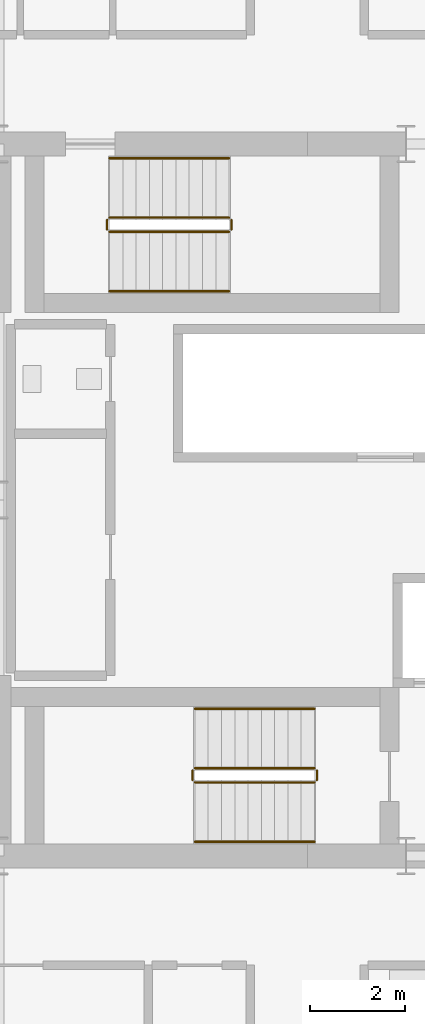
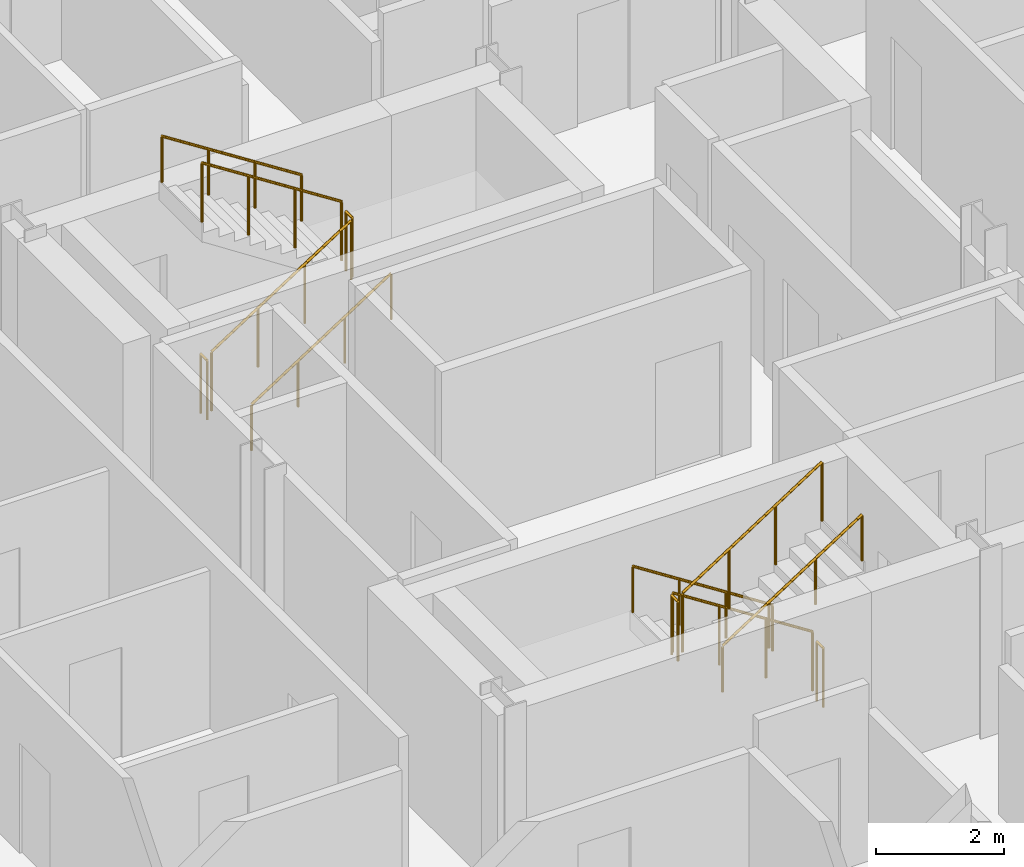
# One storey, part 25 of 26: 12 railings.
"""IFC4 building model written with IfcOpenShell, lengths in metres."""

from ifc_helpers import new_model, si_unit, direction, frame, origin, origin_2d, place, context, subcontext, project, spatial, circle, extrude, material, type_object, element, save


model = new_model("IFC4")

# Units and contexts
model_context = context("Model", 3, precision=1e-05, world=origin(), true_north=direction((0.0, 1.0)))
body_context = subcontext(model_context, "Body", "Model", "MODEL_VIEW")
ifc_project = project(units=[si_unit("LENGTHUNIT", "METRE"), si_unit("AREAUNIT", "SQUARE_METRE"), si_unit("VOLUMEUNIT", "CUBIC_METRE"), si_unit("PLANEANGLEUNIT", "RADIAN"), si_unit("MASSUNIT", "GRAM", prefix="KILO")], contexts=[model_context])

# Site, building, storey
site_placement = place(None, origin())
site = spatial("IfcSite", under=ifc_project, at=site_placement, CompositionType="ELEMENT")
building_placement = place(site_placement, origin())
building = spatial("IfcBuilding", under=site, at=building_placement, Name="Barlavira Tower and Art Museum", CompositionType="ELEMENT")
storey_placement = place(building_placement, frame((0.0, 0.0, 187.199951171875)))
storey = spatial("IfcBuildingStorey", under=building, at=storey_placement, Name="L48", CompositionType="ELEMENT", Elevation=187.199951171875)

# Railings
ifc_material = material(Name="Brushed stainless steel", Category="steel")
railing_type_1 = type_object("IfcRailingType", Name="Interior Void and Landing Guard Railing 1150", PredefinedType="GUARDRAIL", material=ifc_material)
railing_1_placement = place(storey_placement, frame((0.14990234375, -5.64990234375, 0.179931640625)))
element("IfcRailing", 1, at=railing_1_placement, inside=storey, type_object=railing_type_1, Name="L48 ST-T1 stair guard 1", PredefinedType="GUARDRAIL", context=body_context, shape_type="SweptSolid", body=[
    extrude(circle(Radius=0.02392578125, at=origin_2d()), frame((0.0, 0.0, 1.1259765625), z_axis=(-0.841162588446, 0.0, 0.540782303519), x_axis=(0.0, -1.0, 0.0)), (0.0, 0.0, 1.0), 2.995849609375),
    extrude(circle(Radius=0.02099609375, at=origin_2d()), origin(), (0.0, 0.0, 1.0), 1.101806640625),
    extrude(circle(Radius=0.02099609375, at=origin_2d()), frame((-0.840087890625, 0.0, 0.5400390625)), (0.0, 0.0, 1.0), 1.101806640625),
    extrude(circle(Radius=0.02099609375, at=origin_2d()), frame((-1.679931640625, 0.0, 1.080078125)), (0.0, 0.0, 1.0), 1.101806640625),
    extrude(circle(Radius=0.02099609375, at=origin_2d()), frame((-2.52001953125, 0.0, 1.6201171875)), (0.0, 0.0, 1.0), 1.101806640625),
])
railing_2_placement = place(storey_placement, frame((-2.419921875, -5.699951171875, 1.800048828125)))
element("IfcRailing", 2, at=railing_2_placement, inside=storey, type_object=railing_type_1, Name="L48 ST-T1 stair guard 2", PredefinedType="GUARDRAIL", context=body_context, shape_type="SweptSolid", body=[
    extrude(circle(Radius=0.02392578125, at=origin_2d()), frame((0.0, 0.0, 1.1259765625), z_axis=(0.0, -1.0, 0.0), x_axis=(1.0, 0.0, 0.0)), (0.0, 0.0, 1.0), 0.199951171875),
    extrude(circle(Radius=0.02099609375, at=origin_2d()), origin(), (0.0, 0.0, 1.0), 1.101806640625),
    extrude(circle(Radius=0.02099609375, at=origin_2d()), frame((0.0, -0.199951171875, 0.0)), (0.0, 0.0, 1.0), 1.101806640625),
])
railing_3_placement = place(storey_placement, frame((-2.3701171875, -5.949951171875, 1.97998046875)))
element("IfcRailing", 3, at=railing_3_placement, inside=storey, type_object=railing_type_1, Name="L48 ST-T1 stair guard 3", PredefinedType="GUARDRAIL", context=body_context, shape_type="SweptSolid", body=[
    extrude(circle(Radius=0.02392578125, at=origin_2d()), frame((0.0, 0.0, 1.1259765625), z_axis=(0.841162588446, 0.0, 0.540782303519), x_axis=(0.0, 1.0, 0.0)), (0.0, 0.0, 1.0), 2.995849609375),
    extrude(circle(Radius=0.02099609375, at=origin_2d()), origin(), (0.0, 0.0, 1.0), 1.101806640625),
    extrude(circle(Radius=0.02099609375, at=origin_2d()), frame((0.840087890625, 0.0, 0.5400390625)), (0.0, 0.0, 1.0), 1.101806640625),
    extrude(circle(Radius=0.02099609375, at=origin_2d()), frame((1.679931640625, 0.0, 1.080078125)), (0.0, 0.0, 1.0), 1.101806640625),
    extrude(circle(Radius=0.02099609375, at=origin_2d()), frame((2.52001953125, 0.0, 1.6201171875)), (0.0, 0.0, 1.0), 1.101806640625),
])
railing_4_placement = place(storey_placement, frame((0.199951171875, -5.699951171875, 0.0)))
element("IfcRailing", 4, at=railing_4_placement, inside=storey, type_object=railing_type_1, Name="L48 ST-T1 stair guard 4", PredefinedType="GUARDRAIL", context=body_context, shape_type="SweptSolid", body=[
    extrude(circle(Radius=0.02392578125, at=origin_2d()), frame((0.0, 0.0, 1.1259765625), z_axis=(0.0, -1.0, 0.0), x_axis=(1.0, 0.0, 0.0)), (0.0, 0.0, 1.0), 0.199951171875),
    extrude(circle(Radius=0.02099609375, at=origin_2d()), origin(), (0.0, 0.0, 1.0), 1.101806640625),
    extrude(circle(Radius=0.02099609375, at=origin_2d()), frame((0.0, -0.199951171875, 0.0)), (0.0, 0.0, 1.0), 1.101806640625),
])
railing_5_placement = place(storey_placement, frame((-4.169921875, 5.64990234375, 0.179931640625)))
element("IfcRailing", 5, at=railing_5_placement, inside=storey, type_object=railing_type_1, Name="L48 ST-T2 stair guard 1", PredefinedType="GUARDRAIL", context=body_context, shape_type="SweptSolid", body=[
    extrude(circle(Radius=0.02392578125, at=origin_2d()), frame((0.0, 0.0, 1.1259765625), z_axis=(0.841162588446, 0.0, 0.540782303519), x_axis=(0.0, 1.0, 0.0)), (0.0, 0.0, 1.0), 2.995849609375),
    extrude(circle(Radius=0.02099609375, at=origin_2d()), origin(), (0.0, 0.0, 1.0), 1.101806640625),
    extrude(circle(Radius=0.02099609375, at=origin_2d()), frame((0.840087890625, 0.0, 0.5400390625)), (0.0, 0.0, 1.0), 1.101806640625),
    extrude(circle(Radius=0.02099609375, at=origin_2d()), frame((1.679931640625, 0.0, 1.080078125)), (0.0, 0.0, 1.0), 1.101806640625),
    extrude(circle(Radius=0.02099609375, at=origin_2d()), frame((2.52001953125, 0.0, 1.6201171875)), (0.0, 0.0, 1.0), 1.101806640625),
])
railing_6_placement = place(storey_placement, frame((-1.60009765625, 5.699951171875, 1.800048828125)))
element("IfcRailing", 6, at=railing_6_placement, inside=storey, type_object=railing_type_1, Name="L48 ST-T2 stair guard 2", PredefinedType="GUARDRAIL", context=body_context, shape_type="SweptSolid", body=[
    extrude(circle(Radius=0.02392578125, at=origin_2d()), frame((0.0, 0.0, 1.1259765625), z_axis=(0.0, 1.0, 0.0), x_axis=(-1.0, 0.0, 0.0)), (0.0, 0.0, 1.0), 0.199951171875),
    extrude(circle(Radius=0.02099609375, at=origin_2d()), origin(), (0.0, 0.0, 1.0), 1.101806640625),
    extrude(circle(Radius=0.02099609375, at=origin_2d()), frame((0.0, 0.199951171875, 0.0)), (0.0, 0.0, 1.0), 1.101806640625),
])
railing_7_placement = place(storey_placement, frame((-1.64990234375, 5.949951171875, 1.97998046875)))
element("IfcRailing", 7, at=railing_7_placement, inside=storey, type_object=railing_type_1, Name="L48 ST-T2 stair guard 3", PredefinedType="GUARDRAIL", context=body_context, shape_type="SweptSolid", body=[
    extrude(circle(Radius=0.02392578125, at=origin_2d()), frame((0.0, 0.0, 1.1259765625), z_axis=(-0.841162588446, 0.0, 0.540782303519), x_axis=(0.0, -1.0, 0.0)), (0.0, 0.0, 1.0), 2.995849609375),
    extrude(circle(Radius=0.02099609375, at=origin_2d()), origin(), (0.0, 0.0, 1.0), 1.101806640625),
    extrude(circle(Radius=0.02099609375, at=origin_2d()), frame((-0.840087890625, 0.0, 0.5400390625)), (0.0, 0.0, 1.0), 1.101806640625),
    extrude(circle(Radius=0.02099609375, at=origin_2d()), frame((-1.679931640625, 0.0, 1.080078125)), (0.0, 0.0, 1.0), 1.101806640625),
    extrude(circle(Radius=0.02099609375, at=origin_2d()), frame((-2.52001953125, 0.0, 1.6201171875)), (0.0, 0.0, 1.0), 1.101806640625),
])
railing_8_placement = place(storey_placement, frame((-4.219970703125, 5.699951171875, 0.0)))
element("IfcRailing", 8, at=railing_8_placement, inside=storey, type_object=railing_type_1, Name="L48 ST-T2 stair guard 4", PredefinedType="GUARDRAIL", context=body_context, shape_type="SweptSolid", body=[
    extrude(circle(Radius=0.02392578125, at=origin_2d()), frame((0.0, 0.0, 1.1259765625), z_axis=(0.0, 1.0, 0.0), x_axis=(-1.0, 0.0, 0.0)), (0.0, 0.0, 1.0), 0.199951171875),
    extrude(circle(Radius=0.02099609375, at=origin_2d()), origin(), (0.0, 0.0, 1.0), 1.101806640625),
    extrude(circle(Radius=0.02099609375, at=origin_2d()), frame((0.0, 0.199951171875, 0.0)), (0.0, 0.0, 1.0), 1.101806640625),
])
railing_type_2 = type_object("IfcRailingType", Name="Stair Pitch Tubular Steel Handrail 920", PredefinedType="HANDRAIL", material=ifc_material)
railing_9_placement = place(storey_placement, frame((0.14990234375, -4.39990234375, 0.179931640625)))
element("IfcRailing", 9, at=railing_9_placement, inside=storey, type_object=railing_type_2, Name="L48 ST-T1 stair handrail 1", PredefinedType="HANDRAIL", context=body_context, shape_type="SweptSolid", body=[
    extrude(circle(Radius=0.02392578125, at=origin_2d()), frame((0.0, 0.0, 0.8759765625), z_axis=(-0.841162588446, 0.0, 0.540782303519), x_axis=(0.0, -1.0, 0.0)), (0.0, 0.0, 1.0), 2.995849609375),
    extrude(circle(Radius=0.02099609375, at=origin_2d()), origin(), (0.0, 0.0, 1.0), 0.851806640625),
    extrude(circle(Radius=0.02099609375, at=origin_2d()), frame((-0.840087890625, 0.0, 0.5400390625)), (0.0, 0.0, 1.0), 0.851806640625),
    extrude(circle(Radius=0.02099609375, at=origin_2d()), frame((-1.679931640625, 0.0, 1.080078125)), (0.0, 0.0, 1.0), 0.851806640625),
    extrude(circle(Radius=0.02099609375, at=origin_2d()), frame((-2.52001953125, 0.0, 1.6201171875)), (0.0, 0.0, 1.0), 0.851806640625),
])
for number, where, name in (
    (10, (-2.3701171875, -7.199951171875, 1.97998046875), "L48 ST-T1 stair handrail 2"),
    (11, (-4.169921875, 4.39990234375, 0.179931640625), "L48 ST-T2 stair handrail 1"),
):
    element("IfcRailing", number, at=place(storey_placement, frame(where)), inside=storey, type_object=railing_type_2, Name=name, PredefinedType="HANDRAIL", context=body_context, shape_type="SweptSolid", body=[
        extrude(circle(Radius=0.02392578125, at=origin_2d()), frame((0.0, 0.0, 0.8759765625), z_axis=(0.841162588446, 0.0, 0.540782303519), x_axis=(0.0, 1.0, 0.0)), (0.0, 0.0, 1.0), 2.995849609375),
        extrude(circle(Radius=0.02099609375, at=origin_2d()), origin(), (0.0, 0.0, 1.0), 0.851806640625),
        extrude(circle(Radius=0.02099609375, at=origin_2d()), frame((0.840087890625, 0.0, 0.5400390625)), (0.0, 0.0, 1.0), 0.851806640625),
        extrude(circle(Radius=0.02099609375, at=origin_2d()), frame((1.679931640625, 0.0, 1.080078125)), (0.0, 0.0, 1.0), 0.851806640625),
        extrude(circle(Radius=0.02099609375, at=origin_2d()), frame((2.52001953125, 0.0, 1.6201171875)), (0.0, 0.0, 1.0), 0.851806640625),
    ])
railing_10_placement = place(storey_placement, frame((-1.64990234375, 7.199951171875, 1.97998046875)))
element("IfcRailing", 12, at=railing_10_placement, inside=storey, type_object=railing_type_2, Name="L48 ST-T2 stair handrail 2", PredefinedType="HANDRAIL", context=body_context, shape_type="SweptSolid", body=[
    extrude(circle(Radius=0.02392578125, at=origin_2d()), frame((0.0, 0.0, 0.8759765625), z_axis=(-0.841162588446, 0.0, 0.540782303519), x_axis=(0.0, -1.0, 0.0)), (0.0, 0.0, 1.0), 2.995849609375),
    extrude(circle(Radius=0.02099609375, at=origin_2d()), origin(), (0.0, 0.0, 1.0), 0.851806640625),
    extrude(circle(Radius=0.02099609375, at=origin_2d()), frame((-0.840087890625, 0.0, 0.5400390625)), (0.0, 0.0, 1.0), 0.851806640625),
    extrude(circle(Radius=0.02099609375, at=origin_2d()), frame((-1.679931640625, 0.0, 1.080078125)), (0.0, 0.0, 1.0), 0.851806640625),
    extrude(circle(Radius=0.02099609375, at=origin_2d()), frame((-2.52001953125, 0.0, 1.6201171875)), (0.0, 0.0, 1.0), 0.851806640625),
])

save(model, "model.ifc")
